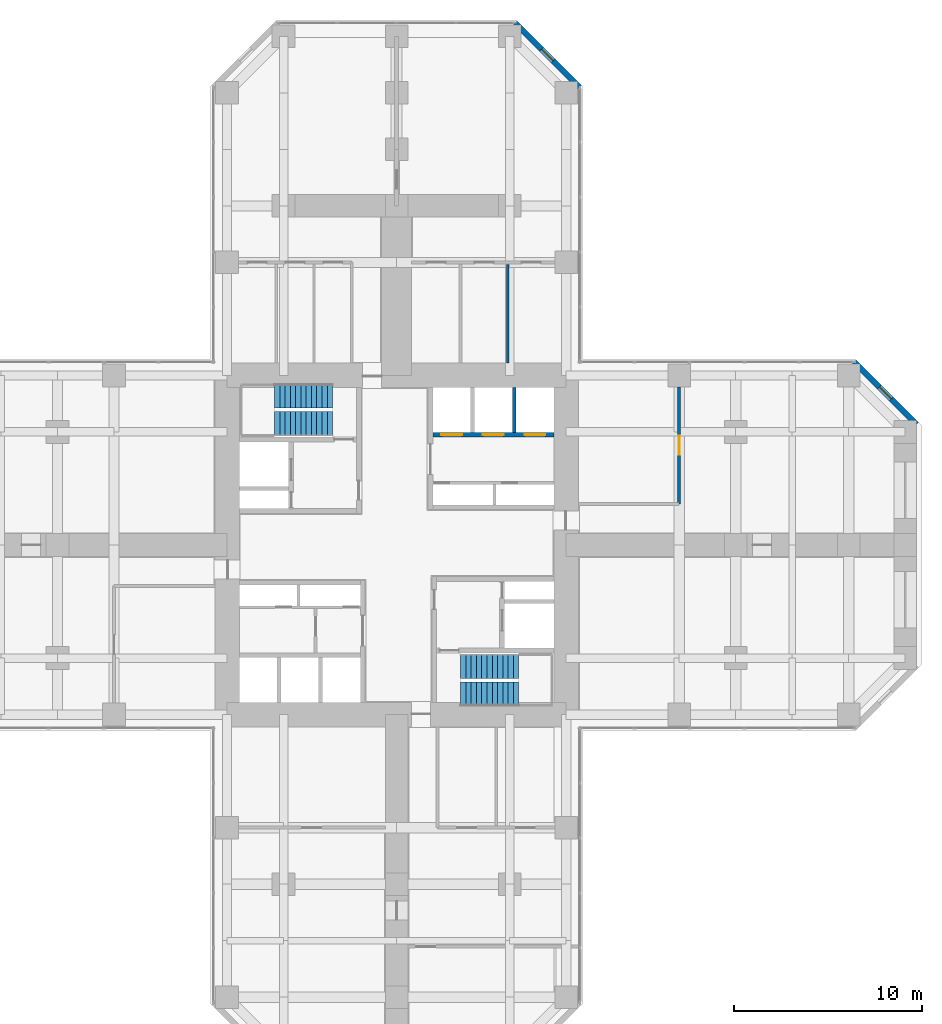
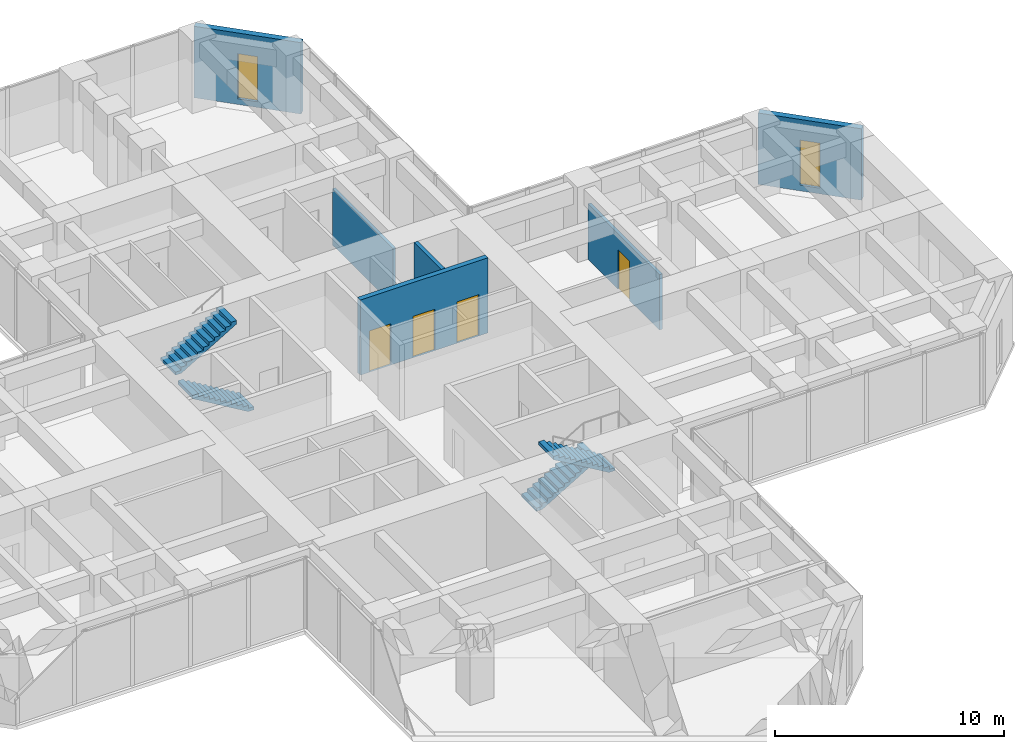
# One storey, part 11 of 12: 6 walls, 4 doors, 4 stair flights, 2 windows, 6 openings, 2 elements without a shape of their own.
"""IFC4 building model written with IfcOpenShell, lengths in metres."""

from ifc_helpers import new_model, si_unit, direction, frame, frame_2d, origin, place, context, subcontext, project, spatial, polyline, rectangle, hollow_rectangle, outline, extrude, material, layer, layer_set, constituent, constituent_set, type_object, element, fill, aggregate, save


model = new_model("IFC4")

# Units and contexts
model_context = context("Model", 3, precision=1e-05, world=origin(), true_north=direction((0.0, 1.0)))
body_context = subcontext(model_context, "Body", "Model", "MODEL_VIEW")
ifc_project = project(units=[si_unit("LENGTHUNIT", "METRE"), si_unit("AREAUNIT", "SQUARE_METRE"), si_unit("VOLUMEUNIT", "CUBIC_METRE"), si_unit("PLANEANGLEUNIT", "RADIAN"), si_unit("MASSUNIT", "GRAM", prefix="KILO")], contexts=[model_context])

# Site, building, storey
site_placement = place(None, origin())
site = spatial("IfcSite", under=ifc_project, at=site_placement, CompositionType="ELEMENT")
building_placement = place(site_placement, origin())
building = spatial("IfcBuilding", under=site, at=building_placement, Name="Torre Cruceta", CompositionType="ELEMENT")
storey_placement = place(building_placement, frame((0.0, 0.0, 71.5)))
storey = spatial("IfcBuildingStorey", under=building, at=storey_placement, Name="L17", CompositionType="ELEMENT", Elevation=71.5)

# Wall, openings, doors
ifc_material_1 = material(Name="Concrete G60 (fck 60 MPa)", Category="concrete")
ifc_layer_1 = layer(ifc_material_1, 0.25)
ifc_layer_set_1 = layer_set([ifc_layer_1], Name="Concrete G60 (fck 60 MPa)")
wall_type_1 = type_object("IfcWallType", Name="CORE INNER WALL 250 G60", PredefinedType="SHEAR", material=ifc_layer_set_1)
wall_1_placement = place(storey_placement, frame((1.925048828125, 5.85009765625, 0.0), z_axis=(0.0, 0.0, 1.0), x_axis=(1.0, 0.0, 0.0)))
wall_1 = element("IfcWall", 1, at=wall_1_placement, inside=storey, type_object=wall_type_1, Name="CW4 L17 NE-LV", PredefinedType="SHEAR", context=body_context, shape_type="SweptSolid", body=[
    extrude(rectangle(XDim=6.425048828125, YDim=0.25, at=frame_2d((3.21240234375, 0.0))), origin(), (0.0, 0.0, 1.0), 4.0),
])
opening_1_placement = place(wall_1_placement, frame((0.4541015625, 0.0, 0.0)))
opening_1 = element("IfcOpeningElement", 2, at=opening_1_placement, cuts=wall_1, Name="Opening LD1", PredefinedType="OPENING", context=body_context, shape_type="SweptSolid", body=[
    extrude(rectangle(XDim=1.10009765625, YDim=2.199951171875, at=frame_2d((0.550048828125, 1.10009765625))), frame((0.0, 0.135009765625, 0.0), z_axis=(0.0, -1.0, 0.0), x_axis=(1.0, 0.0, 0.0)), (0.0, 0.0, 1.0), 0.27001953125),
])
opening_2_placement = place(wall_1_placement, frame((2.66259765625, 0.0, 0.0)))
opening_2 = element("IfcOpeningElement", 3, at=opening_2_placement, cuts=wall_1, Name="Opening LD1", PredefinedType="OPENING", context=body_context, shape_type="SweptSolid", body=[
    extrude(rectangle(XDim=1.10009765625, YDim=2.199951171875, at=frame_2d((0.550048828125, 1.10009765625))), frame((0.0, 0.135009765625, 0.0), z_axis=(0.0, -1.0, 0.0), x_axis=(1.0, 0.0, 0.0)), (0.0, 0.0, 1.0), 0.27001953125),
])
opening_3_placement = place(wall_1_placement, frame((4.870849609375, 0.0, 0.0)))
opening_3 = element("IfcOpeningElement", 4, at=opening_3_placement, cuts=wall_1, Name="Opening LD1", PredefinedType="OPENING", context=body_context, shape_type="SweptSolid", body=[
    extrude(rectangle(XDim=1.10009765625, YDim=2.199951171875, at=frame_2d((0.550048828125, 1.10009765625))), frame((0.0, 0.135009765625, 0.0), z_axis=(0.0, -1.0, 0.0), x_axis=(1.0, 0.0, 0.0)), (0.0, 0.0, 1.0), 0.27001953125),
])
ifc_material_2 = material(Name="Stainless steel 1.4401", Category="steel")
door_type_1 = type_object("IfcDoorType", Name="LIFT LANDING DOOR 1100X2200", OperationType="DOUBLE_DOOR_SLIDING", PredefinedType="DOOR", material=ifc_material_2)
door_1_placement = place(opening_1_placement, origin())
door_1 = element("IfcDoor", 5, at=door_1_placement, inside=storey, type_object=door_type_1, Name="Lift landing door P1", OperationType="DOUBLE_DOOR_SLIDING", OverallHeight=2.199951171875, OverallWidth=1.10009765625, PredefinedType="DOOR", context=body_context, shape_type="SweptSolid", body=[
    extrude(rectangle(XDim=1.10009765625, YDim=2.199951171875, at=frame_2d((0.550048828125, 1.10009765625))), frame((0.0, 0.02490234375, 0.0), z_axis=(0.0, -1.0, 0.0), x_axis=(1.0, 0.0, 0.0)), (0.0, 0.0, 1.0), 0.050048828125),
])
fill(opening_1, door_1)
door_2_placement = place(opening_2_placement, origin())
door_2 = element("IfcDoor", 6, at=door_2_placement, inside=storey, type_object=door_type_1, Name="Lift landing door P2", OperationType="DOUBLE_DOOR_SLIDING", OverallHeight=2.199951171875, OverallWidth=1.10009765625, PredefinedType="DOOR", context=body_context, shape_type="SweptSolid", body=[
    extrude(rectangle(XDim=1.10009765625, YDim=2.199951171875, at=frame_2d((0.550048828125, 1.10009765625))), frame((0.0, 0.02490234375, 0.0), z_axis=(0.0, -1.0, 0.0), x_axis=(1.0, 0.0, 0.0)), (0.0, 0.0, 1.0), 0.050048828125),
])
fill(opening_2, door_2)
door_3_placement = place(opening_3_placement, origin())
door_3 = element("IfcDoor", 7, at=door_3_placement, inside=storey, type_object=door_type_1, Name="Lift landing door P3", OperationType="DOUBLE_DOOR_SLIDING", OverallHeight=2.199951171875, OverallWidth=1.10009765625, PredefinedType="DOOR", context=body_context, shape_type="SweptSolid", body=[
    extrude(rectangle(XDim=1.10009765625, YDim=2.199951171875, at=frame_2d((0.550048828125, 1.10009765625))), frame((0.0, 0.02490234375, 0.0), z_axis=(0.0, -1.0, 0.0), x_axis=(1.0, 0.0, 0.0)), (0.0, 0.0, 1.0), 0.050048828125),
])
fill(opening_3, door_3)

# Wall, opening, window
ifc_material_3 = material(Name="Concrete G30 (fck 30 MPa)", Category="concrete")
ifc_layer_2 = layer(ifc_material_3, 0.300048828125)
ifc_layer_set_2 = layer_set([ifc_layer_2], Name="Concrete G30 (fck 30 MPa)")
wall_type_2 = type_object("IfcWallType", Name="EXPOSED CONCRETE FACADE WALL 300", PredefinedType="SOLIDWALL", material=ifc_layer_set_2)
wall_2_placement = place(storey_placement, frame((27.60009765625, 6.418212890625, 0.0), z_axis=(0.0, 0.0, 1.0), x_axis=(-0.707106781187, 0.707106781187, 0.0)))
wall_2 = element("IfcWall", 8, at=wall_2_placement, inside=storey, type_object=wall_type_2, Name="EW1 facade wall L17 E chamfer 03", PredefinedType="SOLIDWALL", context=body_context, shape_type="SweptSolid", body=[
    extrude(rectangle(XDim=4.66943359375, YDim=0.300048828125, at=frame_2d((2.334716796875, 0.0))), origin(), (0.0, 0.0, 1.0), 3.800048828125),
])
opening_4_placement = place(wall_2_placement, frame((1.884765625, 0.0, 0.300048828125)))
opening_4 = element("IfcOpeningElement", 9, at=opening_4_placement, cuts=wall_2, Name="Opening WN5", PredefinedType="OPENING", context=body_context, shape_type="SweptSolid", body=[
    extrude(rectangle(XDim=0.89990234375, YDim=2.39990234375, at=frame_2d((0.449951171875, 1.199951171875))), frame((0.0, 0.159912109375, 0.0), z_axis=(0.0, -1.0, 0.0), x_axis=(1.0, 0.0, 0.0)), (0.0, 0.0, 1.0), 0.320068359375),
])
ifc_material_4 = material(Name="Aluminium window frame", Category="aluminium")
ifc_constituent_1 = constituent(ifc_material_4, Name="Frame")
ifc_material_5 = material(Name="Laminated insulating glass unit, low-iron clear", Category="glass")
ifc_constituent_2 = constituent(ifc_material_5, Name="Glazing")
ifc_constituent_set_1 = constituent_set(constituents=[ifc_constituent_1, ifc_constituent_2], Name="Aluminium window")
window_type = type_object("IfcWindowType", Name="CHAMFER SLOT WINDOW 900X2400", PartitioningType="SINGLE_PANEL", PredefinedType="WINDOW", material=ifc_constituent_set_1)
window_1_placement = place(opening_4_placement, origin())
window_1 = element("IfcWindow", 10, at=window_1_placement, inside=storey, type_object=window_type, Name="WN5 L17 E 1", OverallHeight=2.39990234375, OverallWidth=0.89990234375, PartitioningType="SINGLE_PANEL", PredefinedType="WINDOW", context=body_context, shape_type="SweptSolid", body=[
    extrude(hollow_rectangle(XDim=0.89990234375, YDim=2.39990234375, WallThickness=0.06005859375, at=frame_2d((0.449951171875, 1.199951171875))), frame((0.0, 0.030029296875, 0.0), z_axis=(0.0, -1.0, 0.0), x_axis=(1.0, 0.0, 0.0)), (0.0, 0.0, 1.0), 0.06005859375),
    extrude(rectangle(XDim=0.77880859375, YDim=2.27880859375, at=frame_2d((0.449951171875, 1.199951171875))), frame((0.0, 0.030029296875, 0.0), z_axis=(0.0, -1.0, 0.0), x_axis=(1.0, 0.0, 0.0)), (0.0, 0.0, 1.0), 0.06005859375),
])
fill(opening_4, window_1)

wall_3_placement = place(storey_placement, frame((9.719970703125, 24.29833984375, 0.0), z_axis=(0.0, 0.0, 1.0), x_axis=(-0.707106781187, 0.707106781187, 0.0)))
wall_3 = element("IfcWall", 11, at=wall_3_placement, inside=storey, type_object=wall_type_2, Name="EW1 facade wall L17 N chamfer 06", PredefinedType="SOLIDWALL", context=body_context, shape_type="SweptSolid", body=[
    extrude(rectangle(XDim=4.8388671875, YDim=0.300048828125, at=frame_2d((2.41943359375, 0.0))), origin(), (0.0, 0.0, 1.0), 3.800048828125),
])
opening_5_placement = place(wall_3_placement, frame((1.969482421875, 0.0, 0.300048828125)))
opening_5 = element("IfcOpeningElement", 12, at=opening_5_placement, cuts=wall_3, Name="Opening WN5", PredefinedType="OPENING", context=body_context, shape_type="SweptSolid", body=[
    extrude(rectangle(XDim=0.89990234375, YDim=2.39990234375, at=frame_2d((0.449951171875, 1.199951171875))), frame((0.0, 0.159912109375, 0.0), z_axis=(0.0, -1.0, 0.0), x_axis=(1.0, 0.0, 0.0)), (0.0, 0.0, 1.0), 0.320068359375),
])
window_2_placement = place(opening_5_placement, origin())
window_2 = element("IfcWindow", 13, at=window_2_placement, inside=storey, type_object=window_type, Name="WN5 L17 N 1", OverallHeight=2.39990234375, OverallWidth=0.89990234375, PartitioningType="SINGLE_PANEL", PredefinedType="WINDOW", context=body_context, shape_type="SweptSolid", body=[
    extrude(hollow_rectangle(XDim=0.89990234375, YDim=2.39990234375, WallThickness=0.06005859375, at=frame_2d((0.449951171875, 1.199951171875))), frame((0.0, 0.030029296875, 0.0), z_axis=(0.0, -1.0, 0.0), x_axis=(1.0, 0.0, 0.0)), (0.0, 0.0, 1.0), 0.06005859375),
    extrude(rectangle(XDim=0.77880859375, YDim=2.27880859375, at=frame_2d((0.449951171875, 1.199951171875))), frame((0.0, 0.030029296875, 0.0), z_axis=(0.0, -1.0, 0.0), x_axis=(1.0, 0.0, 0.0)), (0.0, 0.0, 1.0), 0.06005859375),
])
fill(opening_5, window_2)

# Walls
ifc_material_6 = material(Name="Concrete G35 (fck 35 MPa)", Category="concrete")
ifc_layer_3 = layer(ifc_material_6, 0.199951171875)
ifc_layer_set_3 = layer_set([ifc_layer_3], Name="Concrete G35 (fck 35 MPa)")
wall_type_3 = type_object("IfcWallType", Name="LIFT SHAFT WALL 200", PredefinedType="PARTITIONING", material=ifc_layer_set_3)
wall_4_placement = place(storey_placement, frame((6.24169921875, 5.97509765625, 0.0), z_axis=(0.0, 0.0, 1.0), x_axis=(0.0, 1.0, 0.0)))
element("IfcWall", 14, at=wall_4_placement, inside=storey, type_object=wall_type_3, Name="SW1 L17 NE-LS2", PredefinedType="PARTITIONING", context=body_context, shape_type="SweptSolid", body=[
    extrude(rectangle(XDim=2.375, YDim=0.199951171875, at=frame_2d((1.1875, 0.0))), origin(), (0.0, 0.0, 1.0), 4.0),
])
ifc_material_7 = material(Name="Plasterboard on steel studs", Category="steel")
ifc_layer_4 = layer(ifc_material_7, 0.14990234375)
ifc_layer_set_4 = layer_set([ifc_layer_4], Name="Plasterboard on steel studs")
wall_type_4 = type_object("IfcWallType", Name="PARTITION 150", PredefinedType="PARTITIONING", material=ifc_layer_set_4)
wall_5_placement = place(storey_placement, frame((5.89990234375, 9.64990234375, 0.0), z_axis=(0.0, 0.0, 1.0), x_axis=(0.0, 1.0, 0.0)))
element("IfcWall", 15, at=wall_5_placement, inside=storey, type_object=wall_type_4, Name="PT1 L17-N-BDR2", PredefinedType="PARTITIONING", context=body_context, shape_type="SweptSolid", body=[
    extrude(rectangle(XDim=5.25, YDim=0.14990234375, at=frame_2d((2.625, 0.0))), origin(), (0.0, 0.0, 1.0), 3.0),
])

# Wall, opening, door
wall_6_placement = place(storey_placement, frame((15.0, 2.175048828125, 0.0), z_axis=(0.0, 0.0, 1.0), x_axis=(0.0, 1.0, 0.0)))
wall_6 = element("IfcWall", 16, at=wall_6_placement, inside=storey, type_object=wall_type_4, Name="PT1 L17-E-BFL", PredefinedType="PARTITIONING", context=body_context, shape_type="SweptSolid", body=[
    extrude(rectangle(XDim=6.224853515625, YDim=0.14990234375, at=frame_2d((3.1123046875, 0.0))), origin(), (0.0, 0.0, 1.0), 2.949951171875),
])
opening_6_placement = place(wall_6_placement, frame((2.612548828125, 0.0, 0.0)))
opening_6 = element("IfcOpeningElement", 17, at=opening_6_placement, cuts=wall_6, Name="Opening D3", PredefinedType="OPENING", context=body_context, shape_type="SweptSolid", body=[
    extrude(rectangle(XDim=1.0, YDim=2.10009765625, at=frame_2d((0.5, 1.050048828125))), frame((0.0, 0.0849609375, 0.0), z_axis=(0.0, -1.0, 0.0), x_axis=(1.0, 0.0, 0.0)), (0.0, 0.0, 1.0), 0.169921875),
])
ifc_material_8 = material(Name="Steel DX51D", Category="steel")
ifc_constituent_3 = constituent(ifc_material_8, Name="Leaf and frame")
ifc_material_9 = material(Name="Polyester powder coating", Category="paint")
ifc_constituent_4 = constituent(ifc_material_9, Name="Finish")
ifc_constituent_set_2 = constituent_set(constituents=[ifc_constituent_3, ifc_constituent_4], Name="Steel fire door")
door_type_2 = type_object("IfcDoorType", Name="FIRE DOOR 1000X2100", OperationType="SINGLE_SWING_LEFT", PredefinedType="DOOR", material=ifc_constituent_set_2)
door_4_placement = place(opening_6_placement, origin())
door_4 = element("IfcDoor", 18, at=door_4_placement, inside=storey, type_object=door_type_2, Name="D3 L17-E-BFL-D1", OperationType="SINGLE_SWING_LEFT", OverallHeight=2.10009765625, OverallWidth=1.0, PredefinedType="DOOR", context=body_context, shape_type="SweptSolid", body=[
    extrude(rectangle(XDim=1.0, YDim=2.10009765625, at=frame_2d((0.5, 1.050048828125))), frame((0.0, 0.02490234375, 0.0), z_axis=(0.0, -1.0, 0.0), x_axis=(1.0, 0.0, 0.0)), (0.0, 0.0, 1.0), 0.050048828125),
])
fill(opening_6, door_4)

# Stair, stair flights
ifc_material_10 = material(Name="Concrete G30 (fck 30 MPa)", Category="concrete")
stair_type = type_object("IfcStairType", Name="STAIR HALF-TURN 1300", PredefinedType="HALF_TURN_STAIR", material=ifc_material_10)
stair_1_placement = place(storey_placement, origin())
stair_1 = element("IfcStair", 19, at=stair_1_placement, inside=storey, type_object=stair_type, Name="Stair ST1 L17", PredefinedType="HALF_TURN_STAIR")
ifc_material_11 = material(Name="Concrete G30 (fck 30 MPa)", Category="concrete")
stair_flight_type = type_object("IfcStairFlightType", Name="STAIR FLIGHT 1300", PredefinedType="STRAIGHT", material=ifc_material_11)
stair_flight_1_placement = place(storey_placement, frame((-3.39990234375, 6.425048828125, 0.0), z_axis=(0.0, 0.0, 1.0), x_axis=(-1.0, 0.0, 0.0)))
stair_flight_1 = element("IfcStairFlight", 20, at=stair_flight_1_placement, type_object=stair_flight_type, Name="ST1 flight 1", NumberOfRisers=12, NumberOfTreads=11, PredefinedType="STRAIGHT", RiserHeight=0.166666667, TreadLength=0.28, context=body_context, shape_type="SweptSolid", body=[
    extrude(outline(polyline([(0.0, 0.0), (0.0, 0.166748046875), (0.280029296875, 0.166748046875), (0.280029296875, 0.333251953125), (0.56005859375, 0.333251953125), (0.56005859375, 0.5), (0.840087890625, 0.5), (0.840087890625, 0.666748046875), (1.1201171875, 0.666748046875), (1.1201171875, 0.833251953125), (1.39990234375, 0.833251953125), (1.39990234375, 1.0), (1.679931640625, 1.0), (1.679931640625, 1.166748046875), (1.9599609375, 1.166748046875), (1.9599609375, 1.333251953125), (2.239990234375, 1.333251953125), (2.239990234375, 1.5), (2.52001953125, 1.5), (2.52001953125, 1.666748046875), (2.800048828125, 1.666748046875), (2.800048828125, 1.833251953125), (3.080078125, 1.833251953125), (3.080078125, 2.0), (3.080078125, 1.658935546875), (0.29296875, 0.0), (0.0, 0.0)])), frame((0.0, 0.64990234375, 0.0), z_axis=(0.0, -1.0, 0.0), x_axis=(1.0, 0.0, 0.0)), (0.0, 0.0, 1.0), 1.300048828125),
])
stair_flight_2_placement = place(storey_placement, frame((-6.47998046875, 7.925048828125, 2.0), z_axis=(0.0, 0.0, 1.0), x_axis=(1.0, 0.0, 0.0)))
stair_flight_2 = element("IfcStairFlight", 21, at=stair_flight_2_placement, type_object=stair_flight_type, Name="ST1 flight 2", NumberOfRisers=12, NumberOfTreads=11, PredefinedType="STRAIGHT", RiserHeight=0.166666667, TreadLength=0.28, context=body_context, shape_type="SweptSolid", body=[
    extrude(outline(polyline([(0.0, 0.0), (0.0, 0.166748046875), (0.280029296875, 0.166748046875), (0.280029296875, 0.333251953125), (0.56005859375, 0.333251953125), (0.56005859375, 0.5), (0.840087890625, 0.5), (0.840087890625, 0.666748046875), (1.1201171875, 0.666748046875), (1.1201171875, 0.833251953125), (1.39990234375, 0.833251953125), (1.39990234375, 1.0), (1.679931640625, 1.0), (1.679931640625, 1.166748046875), (1.9599609375, 1.166748046875), (1.9599609375, 1.333251953125), (2.239990234375, 1.333251953125), (2.239990234375, 1.5), (2.52001953125, 1.5), (2.52001953125, 1.666748046875), (2.800048828125, 1.666748046875), (2.800048828125, 1.833251953125), (3.080078125, 1.833251953125), (3.080078125, 2.0), (3.080078125, 1.658935546875), (0.29296875, 0.0), (0.0, 0.0)])), frame((0.0, 0.64990234375, 0.0), z_axis=(0.0, -1.0, 0.0), x_axis=(1.0, 0.0, 0.0)), (0.0, 0.0, 1.0), 1.300048828125),
])
aggregate(stair_1, [stair_flight_1, stair_flight_2])

stair_2_placement = place(storey_placement, origin())
stair_2 = element("IfcStair", 22, at=stair_2_placement, inside=storey, type_object=stair_type, Name="Stair ST2 L17", PredefinedType="HALF_TURN_STAIR")
stair_flight_3_placement = place(storey_placement, frame((3.39990234375, -6.425048828125, 0.0), z_axis=(0.0, 0.0, 1.0), x_axis=(1.0, 0.0, 0.0)))
stair_flight_3 = element("IfcStairFlight", 23, at=stair_flight_3_placement, type_object=stair_flight_type, Name="ST2 flight 1", NumberOfRisers=12, NumberOfTreads=11, PredefinedType="STRAIGHT", RiserHeight=0.166666667, TreadLength=0.28, context=body_context, shape_type="SweptSolid", body=[
    extrude(outline(polyline([(0.0, 0.0), (0.0, 0.166748046875), (0.280029296875, 0.166748046875), (0.280029296875, 0.333251953125), (0.56005859375, 0.333251953125), (0.56005859375, 0.5), (0.840087890625, 0.5), (0.840087890625, 0.666748046875), (1.1201171875, 0.666748046875), (1.1201171875, 0.833251953125), (1.39990234375, 0.833251953125), (1.39990234375, 1.0), (1.679931640625, 1.0), (1.679931640625, 1.166748046875), (1.9599609375, 1.166748046875), (1.9599609375, 1.333251953125), (2.239990234375, 1.333251953125), (2.239990234375, 1.5), (2.52001953125, 1.5), (2.52001953125, 1.666748046875), (2.800048828125, 1.666748046875), (2.800048828125, 1.833251953125), (3.080078125, 1.833251953125), (3.080078125, 2.0), (3.080078125, 1.658935546875), (0.29296875, 0.0), (0.0, 0.0)])), frame((0.0, 0.64990234375, 0.0), z_axis=(0.0, -1.0, 0.0), x_axis=(1.0, 0.0, 0.0)), (0.0, 0.0, 1.0), 1.300048828125),
])
stair_flight_4_placement = place(storey_placement, frame((6.47998046875, -7.925048828125, 2.0), z_axis=(0.0, 0.0, 1.0), x_axis=(-1.0, 0.0, 0.0)))
stair_flight_4 = element("IfcStairFlight", 24, at=stair_flight_4_placement, type_object=stair_flight_type, Name="ST2 flight 2", NumberOfRisers=12, NumberOfTreads=11, PredefinedType="STRAIGHT", RiserHeight=0.166666667, TreadLength=0.28, context=body_context, shape_type="SweptSolid", body=[
    extrude(outline(polyline([(0.0, 0.0), (0.0, 0.166748046875), (0.280029296875, 0.166748046875), (0.280029296875, 0.333251953125), (0.56005859375, 0.333251953125), (0.56005859375, 0.5), (0.840087890625, 0.5), (0.840087890625, 0.666748046875), (1.1201171875, 0.666748046875), (1.1201171875, 0.833251953125), (1.39990234375, 0.833251953125), (1.39990234375, 1.0), (1.679931640625, 1.0), (1.679931640625, 1.166748046875), (1.9599609375, 1.166748046875), (1.9599609375, 1.333251953125), (2.239990234375, 1.333251953125), (2.239990234375, 1.5), (2.52001953125, 1.5), (2.52001953125, 1.666748046875), (2.800048828125, 1.666748046875), (2.800048828125, 1.833251953125), (3.080078125, 1.833251953125), (3.080078125, 2.0), (3.080078125, 1.658935546875), (0.29296875, 0.0), (0.0, 0.0)])), frame((0.0, 0.64990234375, 0.0), z_axis=(0.0, -1.0, 0.0), x_axis=(1.0, 0.0, 0.0)), (0.0, 0.0, 1.0), 1.300048828125),
])
aggregate(stair_2, [stair_flight_3, stair_flight_4])

save(model, "model.ifc")
